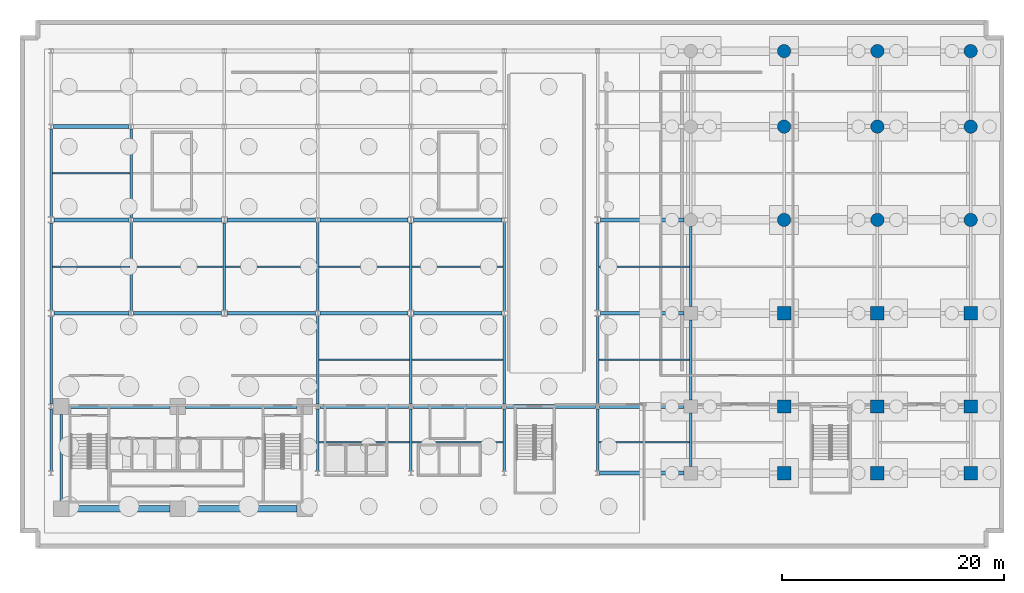
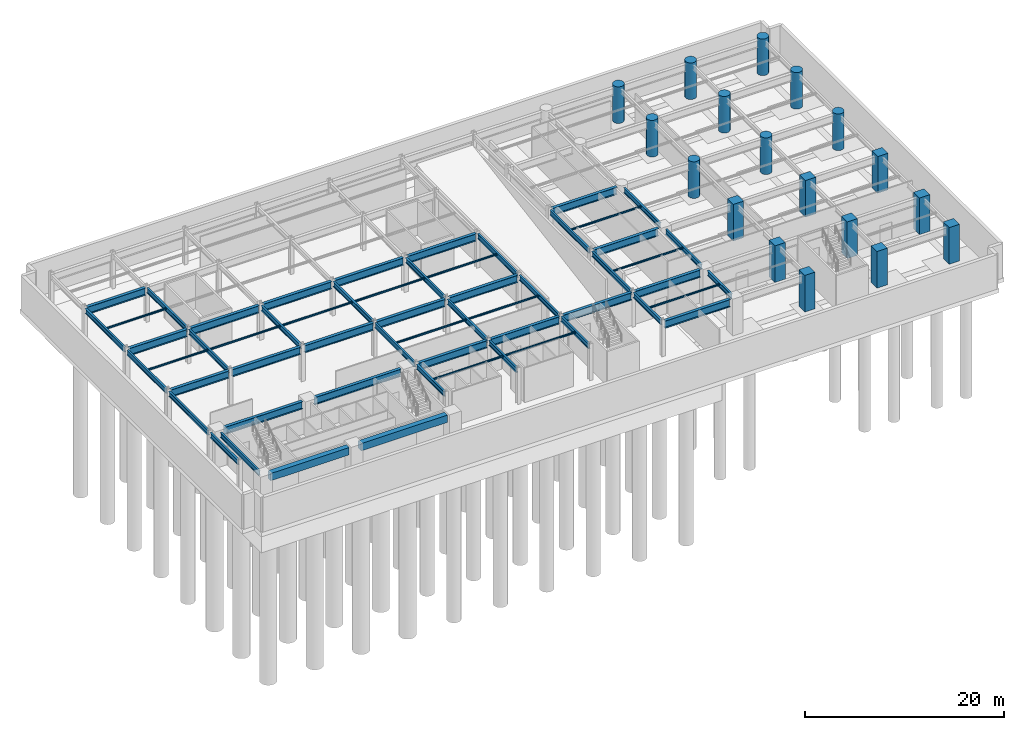
# One storey, part 5 of 14: 58 beams, 18 columns.
"""IFC4 building model written with IfcOpenShell, lengths in metres."""

import ifcopenshell
import ifcopenshell.guid

model = None  # the IFC model being written
_history = None  # IfcOwnerHistory: only IFC2X3 demands one
_inside = {}  # id of a spatial element -> (the spatial element, [elements in it])
_under = {}  # id of a project, library or spatial element -> (it, [spatial elements below it])
_declared = {}  # id of a project -> (the project, [libraries it declares])
_typed = {}  # id of a type object -> (the type object, [elements of that type])
_made_of = {}  # id of a material, layer set ... -> (it, [elements and type objects made of it])


def new_model(schema):
    """Start an empty IFC model of exactly this schema.

    Asked for "IFC4X3", IfcOpenShell would pick the latest addendum, in which some entities
    have other attributes; the version numbers below select the first issue.
    IFC2X3 requires an IfcOwnerHistory on every rooted entity: one is made here for all.
    """
    global model, _history
    if schema == "IFC4X3":
        model = ifcopenshell.file(schema_version=(4, 3, 0, 0))
    else:
        model = ifcopenshell.file(schema=schema)
    _inside.clear()
    _under.clear()
    _declared.clear()
    _typed.clear()
    _made_of.clear()
    _history = None
    if model.schema == "IFC2X3":
        org = make("IfcOrganization", Name="unknown")
        user = make(
            "IfcPersonAndOrganization",
            ThePerson=make("IfcPerson", FamilyName="unknown"),
            TheOrganization=org,
        )
        app = make(
            "IfcApplication",
            ApplicationDeveloper=org,
            Version="unknown",
            ApplicationFullName="unknown",
            ApplicationIdentifier="unknown",
        )
        _history = make(
            "IfcOwnerHistory",
            OwningUser=user,
            OwningApplication=app,
            ChangeAction="ADDED",
            CreationDate=0,
        )
    return model


def make(cls, **values):
    """One entity of the class cls with the attributes given. An attribute that is None is left unset."""
    return model.create_entity(
        cls, **{name: value for name, value in values.items() if value is not None}
    )


def rooted(cls, **values):
    """An entity with a GlobalId (a new one), such as an element, a storey or a relation."""
    return make(cls, GlobalId=ifcopenshell.guid.new(), OwnerHistory=_history, **values)


def si_unit(unit_type, name, prefix=None):
    """IfcSIUnit, for example si_unit("LENGTHUNIT", "METRE", prefix="MILLI")."""
    return make("IfcSIUnit", UnitType=unit_type, Prefix=prefix, Name=name)


def assignment(units):
    """IfcUnitAssignment: the units of a project."""
    return None if units is None else make("IfcUnitAssignment", Units=units)


def point(xyz):
    """IfcCartesianPoint."""
    return None if xyz is None else make("IfcCartesianPoint", Coordinates=xyz)


def direction(xyz):
    """IfcDirection."""
    return None if xyz is None else make("IfcDirection", DirectionRatios=xyz)


def frame(location, z_axis=None, x_axis=None):
    """IfcAxis2Placement3D, a coordinate frame: its origin and axes. An axis left out is left unset."""
    return make(
        "IfcAxis2Placement3D",
        Location=point(location),
        Axis=direction(z_axis),
        RefDirection=direction(x_axis),
    )


def frame_2d(location, x_axis=None):
    """IfcAxis2Placement2D, a coordinate frame in the plane: its origin and x axis."""
    return make(
        "IfcAxis2Placement2D", Location=point(location), RefDirection=direction(x_axis)
    )


def origin():
    """The frame at (0, 0, 0) with its axes left unset."""
    return frame((0.0, 0.0, 0.0))


def origin_2d():
    """The frame at (0, 0) in the plane with its x axis left unset."""
    return frame_2d((0.0, 0.0))


def place(relative_to, where):
    """IfcLocalPlacement: puts the frame where relative to a parent placement (None: the world)."""
    return make(
        "IfcLocalPlacement", PlacementRelTo=relative_to, RelativePlacement=where
    )


def context(
    kind, dimensions, precision=None, world=None, true_north=None, identifier=None
):
    """IfcGeometricRepresentationContext, for example the 3D "Model" context."""
    return make(
        "IfcGeometricRepresentationContext",
        ContextIdentifier=identifier,
        ContextType=kind,
        CoordinateSpaceDimension=dimensions,
        Precision=precision,
        WorldCoordinateSystem=world,
        TrueNorth=true_north,
    )


def subcontext(parent, identifier, kind, view, scale=None):
    """IfcGeometricRepresentationSubContext, for example "Body" below "Model"."""
    return make(
        "IfcGeometricRepresentationSubContext",
        ContextIdentifier=identifier,
        ContextType=kind,
        ParentContext=parent,
        TargetScale=scale,
        TargetView=view,
    )


def project(units=None, contexts=None):
    """IfcProject with its units and contexts."""
    return rooted(
        "IfcProject",
        Name="project",
        RepresentationContexts=contexts,
        UnitsInContext=assignment(units),
    )


def spatial(cls, under=None, at=None, **own):
    """A site, building, storey or space (cls), placed at a placement, below another one or the project."""
    s = rooted(cls, ObjectPlacement=at, **own)
    if under is not None:
        _under.setdefault(under.id(), (under, []))[1].append(s)
    return s


def profile(cls, at=None, kind="AREA", **sizes):
    """A parametric profile (cls). Its sizes go by their IFC names, for example OverallWidth=200.0."""
    return make(cls, ProfileType=kind, Position=at, **sizes)


def rectangle(**sizes):
    """IfcRectangleProfileDef."""
    return profile("IfcRectangleProfileDef", **sizes)


def circle(**sizes):
    """IfcCircleProfileDef."""
    return profile("IfcCircleProfileDef", **sizes)


def i_section(**sizes):
    """IfcIShapeProfileDef."""
    return profile("IfcIShapeProfileDef", **sizes)


def extrude(swept, where, along, depth):
    """IfcExtrudedAreaSolid: the profile swept, set in the frame where, extruded along a direction by depth."""
    return make(
        "IfcExtrudedAreaSolid",
        SweptArea=swept,
        Position=where,
        ExtrudedDirection=direction(along),
        Depth=depth,
    )


def shape(context_of_items, identifier, shape_type, items):
    """IfcShapeRepresentation: the items that make up one representation, for example the "Body"."""
    return make(
        "IfcShapeRepresentation",
        ContextOfItems=context_of_items,
        RepresentationIdentifier=identifier,
        RepresentationType=shape_type,
        Items=items,
    )


def material(Name=None, Category=None):
    """IfcMaterial."""
    return make("IfcMaterial", Name=Name, Category=Category)


def material_profile(
    of_material, cross_section, Name=None, Category=None, Priority=None
):
    """IfcMaterialProfile: a cross section and its material."""
    return make(
        "IfcMaterialProfile",
        Name=Name,
        Material=of_material,
        Profile=cross_section,
        Priority=Priority,
        Category=Category,
    )


def profile_set(profiles, Name=None, composite=None):
    """IfcMaterialProfileSet."""
    return make(
        "IfcMaterialProfileSet",
        Name=Name,
        MaterialProfiles=profiles,
        CompositeProfile=composite,
    )


def made_of(thing, what):
    """Note that an element or type object is made of a material, layer set ...; save() writes the relation."""
    if what is not None:
        _made_of.setdefault(what.id(), (what, []))[1].append(thing)
    return thing


def type_object(cls, material=None, **own):
    """A type object (cls), such as IfcWallType, which elements share."""
    return made_of(rooted(cls, **own), material)


def element(
    cls,
    number,
    at=None,
    inside=None,
    cuts=None,
    type_object=None,
    material=None,
    context=None,
    identifier="Body",
    shape_type=None,
    held_by="IfcProductDefinitionShape",
    body=None,
    shapes=None,
    **own,
):
    """One element of the class cls, such as IfcWall. Its Tag is "e" and its number.

    at: its placement. inside: the storey or other place that contains it. cuts: it is an
    opening in that element (IfcRelVoidsElement). A single representation is given by context,
    identifier, shape_type and body (its items); several are given by shapes. held_by: the class
    of the entity that holds the representations. save() writes the other relations.
    """
    e = rooted(cls, Tag="e%d" % number, ObjectPlacement=at, **own)
    if body is not None:
        shapes = [shape(context, identifier, shape_type, body)]
    if shapes is not None:
        e.Representation = make(held_by, Representations=shapes)
    if inside is not None:
        _inside.setdefault(inside.id(), (inside, []))[1].append(e)
    if cuts is not None:
        rooted(
            "IfcRelVoidsElement", RelatingBuildingElement=cuts, RelatedOpeningElement=e
        )
    if type_object is not None:
        _typed.setdefault(type_object.id(), (type_object, []))[1].append(e)
    return made_of(e, material)


def aggregate(whole, parts):
    """IfcRelAggregates: a whole, such as a stair, and the parts it consists of."""
    return rooted("IfcRelAggregates", RelatingObject=whole, RelatedObjects=parts)


def save(model, path):
    """Write the relations noted so far, then the file.

    IfcRelAggregates (storeys below a building ...), IfcRelContainedInSpatialStructure (elements
    in a storey), IfcRelDefinesByType, IfcRelAssociatesMaterial and IfcRelDeclares: one each for
    every whole, place, type object, material and project.
    """
    for whole, parts in _under.values():
        aggregate(whole, parts)
    for where, things in _inside.values():
        rooted(
            "IfcRelContainedInSpatialStructure",
            RelatedElements=things,
            RelatingStructure=where,
        )
    for kind, things in _typed.values():
        rooted("IfcRelDefinesByType", RelatedObjects=things, RelatingType=kind)
    for what, things in _made_of.values():
        rooted("IfcRelAssociatesMaterial", RelatedObjects=things, RelatingMaterial=what)
    for by, libraries in _declared.values():
        rooted("IfcRelDeclares", RelatingContext=by, RelatedDefinitions=libraries)
    model.write(path)


model = new_model("IFC4")

# Units and contexts
model_context = context("Model", 3, precision=1e-05, world=origin(), true_north=direction((0.0, 1.0)))
body_context = subcontext(model_context, "Body", "Model", "MODEL_VIEW")
ifc_project = project(units=[si_unit("LENGTHUNIT", "METRE"), si_unit("AREAUNIT", "SQUARE_METRE"), si_unit("VOLUMEUNIT", "CUBIC_METRE"), si_unit("PLANEANGLEUNIT", "RADIAN"), si_unit("MASSUNIT", "GRAM", prefix="KILO")], contexts=[model_context])

# Site, building, storey
site_placement = place(None, origin())
site = spatial("IfcSite", under=ifc_project, at=site_placement, CompositionType="ELEMENT")
building_placement = place(site_placement, origin())
building = spatial("IfcBuilding", under=site, at=building_placement, Name="Varnakote Quay Hospital", CompositionType="ELEMENT")
storey_placement = place(building_placement, frame((0.0, 0.0, -9.0)))
storey = spatial("IfcBuildingStorey", under=building, at=storey_placement, Name="B02", CompositionType="ELEMENT", Elevation=-9.0)

# Columns
ifc_material_1 = material(Name="Concrete N80 (f'c 80 MPa)", Category="concrete")
ifc_material_profile_1 = material_profile(ifc_material_1, rectangle(XDim=1.199951171875, YDim=1.199951171875, at=origin_2d()), Name="RC-COL-1200x1200")
ifc_profile_set_1 = profile_set([ifc_material_profile_1], Name="Concrete N80 (f'c 80 MPa)")
column_type_1 = type_object("IfcColumnType", Name="COL-RC-1200", PredefinedType="COLUMN", material=ifc_profile_set_1)
for number, where, z_axis, x_axis, name in (
    (1, (67.199951171875, 6.0, 0.0), (0.0, 0.0, 1.0), (1.0, 0.0, 0.0), "B02 Structural Column C-67-6"),
    (2, (75.60009765625, 6.0, 0.0), (0.0, 0.0, 1.0), (1.0, 0.0, 0.0), "B02 Structural Column C-76-6"),
    (3, (84.0, 6.0, 0.0), (0.0, 0.0, 1.0), (1.0, 0.0, 0.0), "B02 Structural Column C-84-6"),
    (4, (67.199951171875, 12.0, 0.0), (0.0, 0.0, 1.0), (1.0, 0.0, 0.0), "B02 Structural Column C-67-12"),
    (5, (75.60009765625, 12.0, 0.0), (0.0, 0.0, 1.0), (1.0, 0.0, 0.0), "B02 Structural Column C-76-12"),
    (6, (84.0, 12.0, 0.0), (0.0, 0.0, 1.0), (1.0, 0.0, 0.0), "B02 Structural Column C-84-12"),
    (7, (67.199951171875, 20.39990234375, 0.0), (0.0, 0.0, 1.0), (1.0, 0.0, 0.0), "B02 Structural Column C-67-20"),
    (8, (75.60009765625, 20.39990234375, 0.0), (0.0, 0.0, 1.0), (1.0, 0.0, 0.0), "B02 Structural Column C-76-20"),
    (9, (84.0, 20.39990234375, 0.0), (0.0, 0.0, 1.0), (1.0, 0.0, 0.0), "B02 Structural Column C-84-20"),
):
    element("IfcColumn", number, at=place(storey_placement, frame(where, z_axis=z_axis, x_axis=x_axis)), inside=storey, type_object=column_type_1, Name=name, PredefinedType="COLUMN", context=body_context, shape_type="SweptSolid", body=[
        extrude(rectangle(XDim=1.199951171875, YDim=1.199951171875, at=origin_2d()), origin(), (0.0, 0.0, 1.0), 4.5),
    ])
ifc_material_2 = material(Name="Concrete N80 (f'c 80 MPa)", Category="concrete")
ifc_material_profile_2 = material_profile(ifc_material_2, circle(Radius=0.60009765625, at=origin_2d()), Name="RC-COL-D1200")
ifc_profile_set_2 = profile_set([ifc_material_profile_2], Name="Concrete N80 (f'c 80 MPa)")
column_type_2 = type_object("IfcColumnType", Name="COL-RC-D1200", PredefinedType="COLUMN", material=ifc_profile_set_2)
for number, where, z_axis, x_axis, name in (
    (10, (67.199951171875, 28.800048828125, 0.0), (0.0, 0.0, 1.0), (1.0, 0.0, 0.0), "B02 Structural Column C-67-29"),
    (11, (75.60009765625, 28.800048828125, 0.0), (0.0, 0.0, 1.0), (1.0, 0.0, 0.0), "B02 Structural Column C-76-29"),
    (12, (84.0, 28.800048828125, 0.0), (0.0, 0.0, 1.0), (1.0, 0.0, 0.0), "B02 Structural Column C-84-29"),
    (13, (67.199951171875, 37.199951171875, 0.0), (0.0, 0.0, 1.0), (1.0, 0.0, 0.0), "B02 Structural Column C-67-37"),
    (14, (75.60009765625, 37.199951171875, 0.0), (0.0, 0.0, 1.0), (1.0, 0.0, 0.0), "B02 Structural Column C-76-37"),
    (15, (84.0, 37.199951171875, 0.0), (0.0, 0.0, 1.0), (1.0, 0.0, 0.0), "B02 Structural Column C-84-37"),
    (16, (67.199951171875, 44.0, 0.0), (0.0, 0.0, 1.0), (1.0, 0.0, 0.0), "B02 Structural Column C-67-44"),
    (17, (75.60009765625, 44.0, 0.0), (0.0, 0.0, 1.0), (1.0, 0.0, 0.0), "B02 Structural Column C-76-44"),
    (18, (84.0, 44.0, 0.0), (0.0, 0.0, 1.0), (1.0, 0.0, 0.0), "B02 Structural Column C-84-44"),
):
    element("IfcColumn", number, at=place(storey_placement, frame(where, z_axis=z_axis, x_axis=x_axis)), inside=storey, type_object=column_type_2, Name=name, PredefinedType="COLUMN", context=body_context, shape_type="SweptSolid", body=[
        extrude(circle(Radius=0.60009765625, at=origin_2d()), origin(), (0.0, 0.0, 1.0), 4.5),
    ])

# Beams
ifc_material_3 = material(Name="Concrete N65 (f'c 65 MPa)", Category="concrete")
ifc_material_profile_3 = material_profile(ifc_material_3, rectangle(XDim=0.60009765625, YDim=0.89990234375, at=origin_2d()), Name="RC-BM-600x900")
ifc_profile_set_3 = profile_set([ifc_material_profile_3], Name="Concrete N65 (f'c 65 MPa)")
beam_type_1 = type_object("IfcBeamType", Name="BM-RC-600x900", PredefinedType="BEAM", material=ifc_profile_set_3)
beam_1_placement = place(storey_placement, frame((2.800048828125, 2.800048828125, 3.7900390625), z_axis=(1.0, 0.0, 0.0), x_axis=(0.0, 1.0, 0.0)))
element("IfcBeam", 19, at=beam_1_placement, inside=storey, type_object=beam_type_1, Name="B02 Core Rear Coupling Beam", PredefinedType="BEAM", context=body_context, shape_type="SweptSolid", body=[
    extrude(rectangle(XDim=0.60009765625, YDim=0.89990234375, at=origin_2d()), origin(), (0.0, 0.0, 1.0), 9.119873046875),
])
beam_2_placement = place(storey_placement, frame((13.320068359375, 2.800048828125, 3.7900390625), z_axis=(1.0, 0.0, 0.0), x_axis=(0.0, 1.0, 0.0)))
element("IfcBeam", 20, at=beam_2_placement, inside=storey, type_object=beam_type_1, Name="B02 Core Rear Coupling Beam", PredefinedType="BEAM", context=body_context, shape_type="SweptSolid", body=[
    extrude(rectangle(XDim=0.60009765625, YDim=0.89990234375, at=origin_2d()), origin(), (0.0, 0.0, 1.0), 10.030029296875),
])
ifc_material_4 = material(Name="Structural steel AS/NZS 3679.1 Grade 350 L0 (fy 340 MPa)", Category="steel")
ifc_material_profile_4 = material_profile(ifc_material_4, i_section(OverallWidth=0.22802734375, OverallDepth=0.60205078125, WebThickness=0.010498046875, FlangeThickness=0.014892578125, FilletRadius=0.013916015625, at=origin_2d()), Name="610UB101")
ifc_profile_set_4 = profile_set([ifc_material_profile_4], Name="Structural steel AS/NZS 3679.1 Grade 350 L0 (fy 340 MPa)")
beam_type_2 = type_object("IfcBeamType", Name="BM-STL-610UB101", PredefinedType="BEAM", material=ifc_profile_set_4)
beam_3_placement = place(storey_placement, frame((1.199951171875, 6.2099609375, 3.93896484375), z_axis=(0.0, 1.0, 0.0), x_axis=(-1.0, 0.0, 0.0)))
element("IfcBeam", 21, at=beam_3_placement, inside=storey, type_object=beam_type_2, Name="B02 Primary Tie Beam", PredefinedType="BEAM", context=body_context, shape_type="SweptSolid", body=[
    extrude(i_section(OverallWidth=0.22802734375, OverallDepth=0.60205078125, WebThickness=0.010498046875, FlangeThickness=0.014892578125, FilletRadius=0.013916015625, at=origin_2d()), origin(), (0.0, 0.0, 1.0), 5.580078125),
])
beam_4_placement = place(storey_placement, frame((1.199951171875, 12.2099609375, 3.93896484375), z_axis=(0.0, 1.0, 0.0), x_axis=(-1.0, 0.0, 0.0)))
element("IfcBeam", 22, at=beam_4_placement, inside=storey, type_object=beam_type_2, Name="B02 Primary Tie Beam", PredefinedType="BEAM", context=body_context, shape_type="SweptSolid", body=[
    extrude(i_section(OverallWidth=0.22802734375, OverallDepth=0.60205078125, WebThickness=0.010498046875, FlangeThickness=0.014892578125, FilletRadius=0.013916015625, at=origin_2d()), origin(), (0.0, 0.0, 1.0), 7.925048828125),
])
beam_5_placement = place(storey_placement, frame((1.199951171875, 20.6650390625, 3.93896484375), z_axis=(0.0, 1.0, 0.0), x_axis=(-1.0, 0.0, 0.0)))
element("IfcBeam", 23, at=beam_5_placement, inside=storey, type_object=beam_type_2, Name="B02 Primary Tie Beam", PredefinedType="BEAM", context=body_context, shape_type="SweptSolid", body=[
    extrude(i_section(OverallWidth=0.22802734375, OverallDepth=0.60205078125, WebThickness=0.010498046875, FlangeThickness=0.014892578125, FilletRadius=0.013916015625, at=origin_2d()), origin(), (0.0, 0.0, 1.0), 7.869873046875),
])
beam_6_placement = place(storey_placement, frame((1.199951171875, 29.06494140625, 3.93896484375), z_axis=(0.0, 1.0, 0.0), x_axis=(-1.0, 0.0, 0.0)))
element("IfcBeam", 24, at=beam_6_placement, inside=storey, type_object=beam_type_2, Name="B02 Primary Tie Beam", PredefinedType="BEAM", context=body_context, shape_type="SweptSolid", body=[
    extrude(i_section(OverallWidth=0.22802734375, OverallDepth=0.60205078125, WebThickness=0.010498046875, FlangeThickness=0.014892578125, FilletRadius=0.013916015625, at=origin_2d()), origin(), (0.0, 0.0, 1.0), 7.925048828125),
])
beam_7_placement = place(storey_placement, frame((2.10009765625, 3.5, 3.93896484375), z_axis=(0.0, 1.0, 0.0), x_axis=(-1.0, 0.0, 0.0)))
element("IfcBeam", 25, at=beam_7_placement, inside=storey, type_object=beam_type_2, Name="B02 Primary Tie Beam", PredefinedType="BEAM", context=body_context, shape_type="SweptSolid", body=[
    extrude(i_section(OverallWidth=0.22802734375, OverallDepth=0.60205078125, WebThickness=0.010498046875, FlangeThickness=0.014892578125, FilletRadius=0.013916015625, at=origin_2d()), origin(), (0.0, 0.0, 1.0), 7.800048828125),
])
for number, where, z_axis, x_axis, name in (
    (26, (8.39990234375, 20.610107421875, 3.93896484375), (0.0, 1.0, 0.0), (-1.0, 0.0, 0.0), "B02 Primary Tie Beam"),
    (27, (8.39990234375, 29.010009765625, 3.93896484375), (0.0, 1.0, 0.0), (-1.0, 0.0, 0.0), "B02 Primary Tie Beam"),
):
    element("IfcBeam", number, at=place(storey_placement, frame(where, z_axis=z_axis, x_axis=x_axis)), inside=storey, type_object=beam_type_2, Name=name, PredefinedType="BEAM", context=body_context, shape_type="SweptSolid", body=[
        extrude(i_section(OverallWidth=0.22802734375, OverallDepth=0.60205078125, WebThickness=0.010498046875, FlangeThickness=0.014892578125, FilletRadius=0.013916015625, at=origin_2d()), origin(), (0.0, 0.0, 1.0), 7.97998046875),
    ])
beam_8_placement = place(storey_placement, frame((16.800048828125, 20.6650390625, 3.93896484375), z_axis=(0.0, 1.0, 0.0), x_axis=(-1.0, 0.0, 0.0)))
element("IfcBeam", 28, at=beam_8_placement, inside=storey, type_object=beam_type_2, Name="B02 Primary Tie Beam", PredefinedType="BEAM", context=body_context, shape_type="SweptSolid", body=[
    extrude(i_section(OverallWidth=0.22802734375, OverallDepth=0.60205078125, WebThickness=0.010498046875, FlangeThickness=0.014892578125, FilletRadius=0.013916015625, at=origin_2d()), origin(), (0.0, 0.0, 1.0), 7.869873046875),
])
beam_9_placement = place(storey_placement, frame((25.199951171875, 6.2099609375, 3.93896484375), z_axis=(0.0, 1.0, 0.0), x_axis=(-1.0, 0.0, 0.0)))
element("IfcBeam", 29, at=beam_9_placement, inside=storey, type_object=beam_type_2, Name="B02 Primary Tie Beam", PredefinedType="BEAM", context=body_context, shape_type="SweptSolid", body=[
    extrude(i_section(OverallWidth=0.22802734375, OverallDepth=0.60205078125, WebThickness=0.010498046875, FlangeThickness=0.014892578125, FilletRadius=0.013916015625, at=origin_2d()), origin(), (0.0, 0.0, 1.0), 5.580078125),
])
for number, where, z_axis, x_axis, name in (
    (30, (25.199951171875, 12.2099609375, 3.93896484375), (0.0, 1.0, 0.0), (-1.0, 0.0, 0.0), "B02 Primary Tie Beam"),
    (31, (25.199951171875, 20.610107421875, 3.93896484375), (0.0, 1.0, 0.0), (-1.0, 0.0, 0.0), "B02 Primary Tie Beam"),
):
    element("IfcBeam", number, at=place(storey_placement, frame(where, z_axis=z_axis, x_axis=x_axis)), inside=storey, type_object=beam_type_2, Name=name, PredefinedType="BEAM", context=body_context, shape_type="SweptSolid", body=[
        extrude(i_section(OverallWidth=0.22802734375, OverallDepth=0.60205078125, WebThickness=0.010498046875, FlangeThickness=0.014892578125, FilletRadius=0.013916015625, at=origin_2d()), origin(), (0.0, 0.0, 1.0), 7.97998046875),
    ])
beam_10_placement = place(storey_placement, frame((33.60009765625, 6.2099609375, 3.93896484375), z_axis=(0.0, 1.0, 0.0), x_axis=(-1.0, 0.0, 0.0)))
element("IfcBeam", 32, at=beam_10_placement, inside=storey, type_object=beam_type_2, Name="B02 Primary Tie Beam", PredefinedType="BEAM", context=body_context, shape_type="SweptSolid", body=[
    extrude(i_section(OverallWidth=0.22802734375, OverallDepth=0.60205078125, WebThickness=0.010498046875, FlangeThickness=0.014892578125, FilletRadius=0.013916015625, at=origin_2d()), origin(), (0.0, 0.0, 1.0), 5.580078125),
])
beam_11_placement = place(storey_placement, frame((33.60009765625, 12.2099609375, 3.93896484375), z_axis=(0.0, 1.0, 0.0), x_axis=(-1.0, 0.0, 0.0)))
element("IfcBeam", 33, at=beam_11_placement, inside=storey, type_object=beam_type_2, Name="B02 Primary Tie Beam", PredefinedType="BEAM", context=body_context, shape_type="SweptSolid", body=[
    extrude(i_section(OverallWidth=0.22802734375, OverallDepth=0.60205078125, WebThickness=0.010498046875, FlangeThickness=0.014892578125, FilletRadius=0.013916015625, at=origin_2d()), origin(), (0.0, 0.0, 1.0), 7.925048828125),
])
beam_12_placement = place(storey_placement, frame((33.60009765625, 20.6650390625, 3.93896484375), z_axis=(0.0, 1.0, 0.0), x_axis=(-1.0, 0.0, 0.0)))
element("IfcBeam", 34, at=beam_12_placement, inside=storey, type_object=beam_type_2, Name="B02 Primary Tie Beam", PredefinedType="BEAM", context=body_context, shape_type="SweptSolid", body=[
    extrude(i_section(OverallWidth=0.22802734375, OverallDepth=0.60205078125, WebThickness=0.010498046875, FlangeThickness=0.014892578125, FilletRadius=0.013916015625, at=origin_2d()), origin(), (0.0, 0.0, 1.0), 7.869873046875),
])
beam_13_placement = place(storey_placement, frame((42.0, 6.2099609375, 3.93896484375), z_axis=(0.0, 1.0, 0.0), x_axis=(-1.0, 0.0, 0.0)))
element("IfcBeam", 35, at=beam_13_placement, inside=storey, type_object=beam_type_2, Name="B02 Primary Tie Beam", PredefinedType="BEAM", context=body_context, shape_type="SweptSolid", body=[
    extrude(i_section(OverallWidth=0.22802734375, OverallDepth=0.60205078125, WebThickness=0.010498046875, FlangeThickness=0.014892578125, FilletRadius=0.013916015625, at=origin_2d()), origin(), (0.0, 0.0, 1.0), 5.580078125),
])
for number, where, z_axis, x_axis, name in (
    (36, (42.0, 12.2099609375, 3.93896484375), (0.0, 1.0, 0.0), (-1.0, 0.0, 0.0), "B02 Primary Tie Beam"),
    (37, (42.0, 20.610107421875, 3.93896484375), (0.0, 1.0, 0.0), (-1.0, 0.0, 0.0), "B02 Primary Tie Beam"),
):
    element("IfcBeam", number, at=place(storey_placement, frame(where, z_axis=z_axis, x_axis=x_axis)), inside=storey, type_object=beam_type_2, Name=name, PredefinedType="BEAM", context=body_context, shape_type="SweptSolid", body=[
        extrude(i_section(OverallWidth=0.22802734375, OverallDepth=0.60205078125, WebThickness=0.010498046875, FlangeThickness=0.014892578125, FilletRadius=0.013916015625, at=origin_2d()), origin(), (0.0, 0.0, 1.0), 7.97998046875),
    ])
beam_14_placement = place(storey_placement, frame((50.39990234375, 6.2099609375, 3.93896484375), z_axis=(0.0, 1.0, 0.0), x_axis=(-1.0, 0.0, 0.0)))
element("IfcBeam", 38, at=beam_14_placement, inside=storey, type_object=beam_type_2, Name="B02 Primary Tie Beam", PredefinedType="BEAM", context=body_context, shape_type="SweptSolid", body=[
    extrude(i_section(OverallWidth=0.22802734375, OverallDepth=0.60205078125, WebThickness=0.010498046875, FlangeThickness=0.014892578125, FilletRadius=0.013916015625, at=origin_2d()), origin(), (0.0, 0.0, 1.0), 5.580078125),
])
beam_15_placement = place(storey_placement, frame((50.39990234375, 12.2099609375, 3.93896484375), z_axis=(0.0, 1.0, 0.0), x_axis=(-1.0, 0.0, 0.0)))
element("IfcBeam", 39, at=beam_15_placement, inside=storey, type_object=beam_type_2, Name="B02 Primary Tie Beam", PredefinedType="BEAM", context=body_context, shape_type="SweptSolid", body=[
    extrude(i_section(OverallWidth=0.22802734375, OverallDepth=0.60205078125, WebThickness=0.010498046875, FlangeThickness=0.014892578125, FilletRadius=0.013916015625, at=origin_2d()), origin(), (0.0, 0.0, 1.0), 7.925048828125),
])
beam_16_placement = place(storey_placement, frame((50.39990234375, 20.6650390625, 3.93896484375), z_axis=(0.0, 1.0, 0.0), x_axis=(-1.0, 0.0, 0.0)))
element("IfcBeam", 40, at=beam_16_placement, inside=storey, type_object=beam_type_2, Name="B02 Primary Tie Beam", PredefinedType="BEAM", context=body_context, shape_type="SweptSolid", body=[
    extrude(i_section(OverallWidth=0.22802734375, OverallDepth=0.60205078125, WebThickness=0.010498046875, FlangeThickness=0.014892578125, FilletRadius=0.013916015625, at=origin_2d()), origin(), (0.0, 0.0, 1.0), 7.869873046875),
])
beam_17_placement = place(storey_placement, frame((58.800048828125, 6.60009765625, 3.93896484375), z_axis=(0.0, 1.0, 0.0), x_axis=(-1.0, 0.0, 0.0)))
element("IfcBeam", 41, at=beam_17_placement, inside=storey, type_object=beam_type_2, Name="B02 Primary Tie Beam", PredefinedType="BEAM", context=body_context, shape_type="SweptSolid", body=[
    extrude(i_section(OverallWidth=0.22802734375, OverallDepth=0.60205078125, WebThickness=0.010498046875, FlangeThickness=0.014892578125, FilletRadius=0.013916015625, at=origin_2d()), origin(), (0.0, 0.0, 1.0), 4.7998046875),
])
for number, where, z_axis, x_axis, name in (
    (42, (58.800048828125, 12.60009765625, 3.93896484375), (0.0, 1.0, 0.0), (-1.0, 0.0, 0.0), "B02 Primary Tie Beam"),
    (43, (58.800048828125, 21.0, 3.93896484375), (0.0, 1.0, 0.0), (-1.0, 0.0, 0.0), "B02 Primary Tie Beam"),
):
    element("IfcBeam", number, at=place(storey_placement, frame(where, z_axis=z_axis, x_axis=x_axis)), inside=storey, type_object=beam_type_2, Name=name, PredefinedType="BEAM", context=body_context, shape_type="SweptSolid", body=[
        extrude(i_section(OverallWidth=0.22802734375, OverallDepth=0.60205078125, WebThickness=0.010498046875, FlangeThickness=0.014892578125, FilletRadius=0.013916015625, at=origin_2d()), origin(), (0.0, 0.0, 1.0), 7.199951171875),
    ])
ifc_material_5 = material(Name="Structural steel AS/NZS 3678 Grade 350 (fy 340 MPa)", Category="steel")
ifc_material_profile_5 = material_profile(ifc_material_5, i_section(OverallWidth=0.35009765625, OverallDepth=0.909912109375, WebThickness=0.011962890625, FlangeThickness=0.02490234375, at=origin_2d()), Name="900WB218")
ifc_profile_set_5 = profile_set([ifc_material_profile_5], Name="Structural steel AS/NZS 3678 Grade 350 (fy 340 MPa)")
beam_type_3 = type_object("IfcBeamType", Name="BM-STL-900WB218", PredefinedType="BEAM", material=ifc_profile_set_5)
beam_18_placement = place(storey_placement, frame((50.60009765625, 6.0, 3.784912109375), z_axis=(1.0, 0.0, 0.0), x_axis=(0.0, 1.0, 0.0)))
element("IfcBeam", 44, at=beam_18_placement, inside=storey, type_object=beam_type_3, Name="B02 Primary Floor Beam", PredefinedType="BEAM", context=body_context, shape_type="SweptSolid", body=[
    extrude(i_section(OverallWidth=0.35009765625, OverallDepth=0.909912109375, WebThickness=0.011962890625, FlangeThickness=0.02490234375, at=origin_2d()), origin(), (0.0, 0.0, 1.0), 7.599853515625),
])
beam_19_placement = place(storey_placement, frame((2.800048828125, 12.0, 3.784912109375), z_axis=(1.0, 0.0, 0.0), x_axis=(0.0, 1.0, 0.0)))
element("IfcBeam", 45, at=beam_19_placement, inside=storey, type_object=beam_type_3, Name="B02 Primary Floor Beam", PredefinedType="BEAM", context=body_context, shape_type="SweptSolid", body=[
    extrude(i_section(OverallWidth=0.35009765625, OverallDepth=0.909912109375, WebThickness=0.011962890625, FlangeThickness=0.02490234375, at=origin_2d()), origin(), (0.0, 0.0, 1.0), 9.119873046875),
])
beam_20_placement = place(storey_placement, frame((13.320068359375, 12.0, 3.784912109375), z_axis=(1.0, 0.0, 0.0), x_axis=(0.0, 1.0, 0.0)))
element("IfcBeam", 46, at=beam_20_placement, inside=storey, type_object=beam_type_3, Name="B02 Primary Floor Beam", PredefinedType="BEAM", context=body_context, shape_type="SweptSolid", body=[
    extrude(i_section(OverallWidth=0.35009765625, OverallDepth=0.909912109375, WebThickness=0.011962890625, FlangeThickness=0.02490234375, at=origin_2d()), origin(), (0.0, 0.0, 1.0), 10.030029296875),
])
for number, where, z_axis, x_axis, name in (
    (47, (25.39990234375, 12.0, 3.784912109375), (1.0, 0.0, 0.0), (0.0, 1.0, 0.0), "B02 Primary Floor Beam"),
    (48, (33.800048828125, 12.0, 3.784912109375), (1.0, 0.0, 0.0), (0.0, 1.0, 0.0), "B02 Primary Floor Beam"),
    (49, (42.199951171875, 12.0, 3.784912109375), (1.0, 0.0, 0.0), (0.0, 1.0, 0.0), "B02 Primary Floor Beam"),
):
    element("IfcBeam", number, at=place(storey_placement, frame(where, z_axis=z_axis, x_axis=x_axis)), inside=storey, type_object=beam_type_3, Name=name, PredefinedType="BEAM", context=body_context, shape_type="SweptSolid", body=[
        extrude(i_section(OverallWidth=0.35009765625, OverallDepth=0.909912109375, WebThickness=0.011962890625, FlangeThickness=0.02490234375, at=origin_2d()), origin(), (0.0, 0.0, 1.0), 8.0),
    ])
beam_21_placement = place(storey_placement, frame((50.60009765625, 12.0, 3.784912109375), z_axis=(1.0, 0.0, 0.0), x_axis=(0.0, 1.0, 0.0)))
element("IfcBeam", 50, at=beam_21_placement, inside=storey, type_object=beam_type_3, Name="B02 Primary Floor Beam", PredefinedType="BEAM", context=body_context, shape_type="SweptSolid", body=[
    extrude(i_section(OverallWidth=0.35009765625, OverallDepth=0.909912109375, WebThickness=0.011962890625, FlangeThickness=0.02490234375, at=origin_2d()), origin(), (0.0, 0.0, 1.0), 7.599853515625),
])
beam_22_placement = place(storey_placement, frame((1.449951171875, 20.39990234375, 3.784912109375), z_axis=(1.0, 0.0, 0.0), x_axis=(0.0, 1.0, 0.0)))
element("IfcBeam", 51, at=beam_22_placement, inside=storey, type_object=beam_type_3, Name="B02 Primary Floor Beam", PredefinedType="BEAM", context=body_context, shape_type="SweptSolid", body=[
    extrude(i_section(OverallWidth=0.35009765625, OverallDepth=0.909912109375, WebThickness=0.011962890625, FlangeThickness=0.02490234375, at=origin_2d()), origin(), (0.0, 0.0, 1.0), 6.75),
])
for number, where, z_axis, x_axis, name in (
    (52, (8.60009765625, 20.39990234375, 3.784912109375), (1.0, 0.0, 0.0), (0.0, 1.0, 0.0), "B02 Primary Floor Beam"),
    (53, (17.050048828125, 20.39990234375, 3.784912109375), (1.0, 0.0, 0.0), (0.0, 1.0, 0.0), "B02 Primary Floor Beam"),
):
    element("IfcBeam", number, at=place(storey_placement, frame(where, z_axis=z_axis, x_axis=x_axis)), inside=storey, type_object=beam_type_3, Name=name, PredefinedType="BEAM", context=body_context, shape_type="SweptSolid", body=[
        extrude(i_section(OverallWidth=0.35009765625, OverallDepth=0.909912109375, WebThickness=0.011962890625, FlangeThickness=0.02490234375, at=origin_2d()), origin(), (0.0, 0.0, 1.0), 7.949951171875),
    ])
beam_23_placement = place(storey_placement, frame((25.39990234375, 20.39990234375, 3.784912109375), z_axis=(1.0, 0.0, 0.0), x_axis=(0.0, 1.0, 0.0)))
element("IfcBeam", 54, at=beam_23_placement, inside=storey, type_object=beam_type_3, Name="B02 Primary Floor Beam", PredefinedType="BEAM", context=body_context, shape_type="SweptSolid", body=[
    extrude(i_section(OverallWidth=0.35009765625, OverallDepth=0.909912109375, WebThickness=0.011962890625, FlangeThickness=0.02490234375, at=origin_2d()), origin(), (0.0, 0.0, 1.0), 7.9501953125),
])
beam_24_placement = place(storey_placement, frame((33.85009765625, 20.39990234375, 3.784912109375), z_axis=(1.0, 0.0, 0.0), x_axis=(0.0, 1.0, 0.0)))
element("IfcBeam", 55, at=beam_24_placement, inside=storey, type_object=beam_type_3, Name="B02 Primary Floor Beam", PredefinedType="BEAM", context=body_context, shape_type="SweptSolid", body=[
    extrude(i_section(OverallWidth=0.35009765625, OverallDepth=0.909912109375, WebThickness=0.011962890625, FlangeThickness=0.02490234375, at=origin_2d()), origin(), (0.0, 0.0, 1.0), 7.949951171875),
])
beam_25_placement = place(storey_placement, frame((50.64990234375, 20.39990234375, 3.784912109375), z_axis=(1.0, 0.0, 0.0), x_axis=(0.0, 1.0, 0.0)))
element("IfcBeam", 56, at=beam_25_placement, inside=storey, type_object=beam_type_3, Name="B02 Primary Floor Beam", PredefinedType="BEAM", context=body_context, shape_type="SweptSolid", body=[
    extrude(i_section(OverallWidth=0.35009765625, OverallDepth=0.909912109375, WebThickness=0.011962890625, FlangeThickness=0.02490234375, at=origin_2d()), origin(), (0.0, 0.0, 1.0), 7.550048828125),
])
beam_26_placement = place(storey_placement, frame((1.449951171875, 28.800048828125, 3.784912109375), z_axis=(1.0, 0.0, 0.0), x_axis=(0.0, 1.0, 0.0)))
element("IfcBeam", 57, at=beam_26_placement, inside=storey, type_object=beam_type_3, Name="B02 Primary Floor Beam", PredefinedType="BEAM", context=body_context, shape_type="SweptSolid", body=[
    extrude(i_section(OverallWidth=0.35009765625, OverallDepth=0.909912109375, WebThickness=0.011962890625, FlangeThickness=0.02490234375, at=origin_2d()), origin(), (0.0, 0.0, 1.0), 6.75),
])
for number, where, z_axis, x_axis, name in (
    (58, (8.60009765625, 28.800048828125, 3.784912109375), (1.0, 0.0, 0.0), (0.0, 1.0, 0.0), "B02 Primary Floor Beam"),
    (59, (17.050048828125, 28.800048828125, 3.784912109375), (1.0, 0.0, 0.0), (0.0, 1.0, 0.0), "B02 Primary Floor Beam"),
):
    element("IfcBeam", number, at=place(storey_placement, frame(where, z_axis=z_axis, x_axis=x_axis)), inside=storey, type_object=beam_type_3, Name=name, PredefinedType="BEAM", context=body_context, shape_type="SweptSolid", body=[
        extrude(i_section(OverallWidth=0.35009765625, OverallDepth=0.909912109375, WebThickness=0.011962890625, FlangeThickness=0.02490234375, at=origin_2d()), origin(), (0.0, 0.0, 1.0), 7.949951171875),
    ])
beam_27_placement = place(storey_placement, frame((25.39990234375, 28.800048828125, 3.784912109375), z_axis=(1.0, 0.0, 0.0), x_axis=(0.0, 1.0, 0.0)))
element("IfcBeam", 60, at=beam_27_placement, inside=storey, type_object=beam_type_3, Name="B02 Primary Floor Beam", PredefinedType="BEAM", context=body_context, shape_type="SweptSolid", body=[
    extrude(i_section(OverallWidth=0.35009765625, OverallDepth=0.909912109375, WebThickness=0.011962890625, FlangeThickness=0.02490234375, at=origin_2d()), origin(), (0.0, 0.0, 1.0), 7.9501953125),
])
beam_28_placement = place(storey_placement, frame((33.85009765625, 28.800048828125, 3.784912109375), z_axis=(1.0, 0.0, 0.0), x_axis=(0.0, 1.0, 0.0)))
element("IfcBeam", 61, at=beam_28_placement, inside=storey, type_object=beam_type_3, Name="B02 Primary Floor Beam", PredefinedType="BEAM", context=body_context, shape_type="SweptSolid", body=[
    extrude(i_section(OverallWidth=0.35009765625, OverallDepth=0.909912109375, WebThickness=0.011962890625, FlangeThickness=0.02490234375, at=origin_2d()), origin(), (0.0, 0.0, 1.0), 7.949951171875),
])
beam_29_placement = place(storey_placement, frame((50.64990234375, 28.800048828125, 3.784912109375), z_axis=(1.0, 0.0, 0.0), x_axis=(0.0, 1.0, 0.0)))
element("IfcBeam", 62, at=beam_29_placement, inside=storey, type_object=beam_type_3, Name="B02 Primary Floor Beam", PredefinedType="BEAM", context=body_context, shape_type="SweptSolid", body=[
    extrude(i_section(OverallWidth=0.35009765625, OverallDepth=0.909912109375, WebThickness=0.011962890625, FlangeThickness=0.02490234375, at=origin_2d()), origin(), (0.0, 0.0, 1.0), 7.550048828125),
])
beam_30_placement = place(storey_placement, frame((1.39990234375, 37.199951171875, 3.784912109375), z_axis=(1.0, 0.0, 0.0), x_axis=(0.0, 1.0, 0.0)))
element("IfcBeam", 63, at=beam_30_placement, inside=storey, type_object=beam_type_3, Name="B02 Primary Floor Beam", PredefinedType="BEAM", context=body_context, shape_type="SweptSolid", body=[
    extrude(i_section(OverallWidth=0.35009765625, OverallDepth=0.909912109375, WebThickness=0.011962890625, FlangeThickness=0.02490234375, at=origin_2d()), origin(), (0.0, 0.0, 1.0), 6.800048828125),
])
ifc_material_6 = material(Name="Structural steel AS/NZS 3679.1 Grade 350 L0 (fy 340 MPa)", Category="steel")
ifc_material_profile_6 = material_profile(ifc_material_6, i_section(OverallWidth=0.134033203125, OverallDepth=0.20703125, WebThickness=0.00634765625, FlangeThickness=0.009521484375, FilletRadius=0.0087890625, at=origin_2d()), Name="200UB29.8")
ifc_profile_set_6 = profile_set([ifc_material_profile_6], Name="Structural steel AS/NZS 3679.1 Grade 350 L0 (fy 340 MPa)")
beam_type_4 = type_object("IfcBeamType", Name="JST-STL-200UB29-8", PredefinedType="JOIST", material=ifc_profile_set_6)
beam_31_placement = place(storey_placement, frame((25.31396484375, 8.800048828125, 4.136474609375), z_axis=(1.0, 0.0, 0.0), x_axis=(0.0, 1.0, 0.0)))
element("IfcBeam", 64, at=beam_31_placement, inside=storey, type_object=beam_type_4, Name="B02 Composite Floor Joist", PredefinedType="JOIST", context=body_context, shape_type="SweptSolid", body=[
    extrude(i_section(OverallWidth=0.134033203125, OverallDepth=0.20703125, WebThickness=0.00634765625, FlangeThickness=0.009521484375, FilletRadius=0.0087890625, at=origin_2d()), origin(), (0.0, 0.0, 1.0), 8.172119140625),
])
beam_32_placement = place(storey_placement, frame((33.714111328125, 8.800048828125, 4.136474609375), z_axis=(1.0, 0.0, 0.0), x_axis=(0.0, 1.0, 0.0)))
element("IfcBeam", 65, at=beam_32_placement, inside=storey, type_object=beam_type_4, Name="B02 Composite Floor Joist", PredefinedType="JOIST", context=body_context, shape_type="SweptSolid", body=[
    extrude(i_section(OverallWidth=0.134033203125, OverallDepth=0.20703125, WebThickness=0.00634765625, FlangeThickness=0.009521484375, FilletRadius=0.0087890625, at=origin_2d()), origin(), (0.0, 0.0, 1.0), 8.171875),
])
for number, where, z_axis, x_axis, name in (
    (66, (50.513916015625, 8.800048828125, 4.136474609375), (1.0, 0.0, 0.0), (0.0, 1.0, 0.0), "B02 Composite Floor Joist"),
    (67, (25.31396484375, 16.199951171875, 4.136474609375), (1.0, 0.0, 0.0), (0.0, 1.0, 0.0), "B02 Composite Floor Joist"),
):
    element("IfcBeam", number, at=place(storey_placement, frame(where, z_axis=z_axis, x_axis=x_axis)), inside=storey, type_object=beam_type_4, Name=name, PredefinedType="JOIST", context=body_context, shape_type="SweptSolid", body=[
        extrude(i_section(OverallWidth=0.134033203125, OverallDepth=0.20703125, WebThickness=0.00634765625, FlangeThickness=0.009521484375, FilletRadius=0.0087890625, at=origin_2d()), origin(), (0.0, 0.0, 1.0), 8.172119140625),
    ])
beam_33_placement = place(storey_placement, frame((33.714111328125, 16.199951171875, 4.136474609375), z_axis=(1.0, 0.0, 0.0), x_axis=(0.0, 1.0, 0.0)))
element("IfcBeam", 68, at=beam_33_placement, inside=storey, type_object=beam_type_4, Name="B02 Composite Floor Joist", PredefinedType="JOIST", context=body_context, shape_type="SweptSolid", body=[
    extrude(i_section(OverallWidth=0.134033203125, OverallDepth=0.20703125, WebThickness=0.00634765625, FlangeThickness=0.009521484375, FilletRadius=0.0087890625, at=origin_2d()), origin(), (0.0, 0.0, 1.0), 8.171875),
])
beam_34_placement = place(storey_placement, frame((50.513916015625, 16.199951171875, 4.136474609375), z_axis=(1.0, 0.0, 0.0), x_axis=(0.0, 1.0, 0.0)))
element("IfcBeam", 69, at=beam_34_placement, inside=storey, type_object=beam_type_4, Name="B02 Composite Floor Joist", PredefinedType="JOIST", context=body_context, shape_type="SweptSolid", body=[
    extrude(i_section(OverallWidth=0.134033203125, OverallDepth=0.20703125, WebThickness=0.00634765625, FlangeThickness=0.009521484375, FilletRadius=0.0087890625, at=origin_2d()), origin(), (0.0, 0.0, 1.0), 8.172119140625),
])
beam_35_placement = place(storey_placement, frame((1.31396484375, 24.60009765625, 4.136474609375), z_axis=(1.0, 0.0, 0.0), x_axis=(0.0, 1.0, 0.0)))
element("IfcBeam", 70, at=beam_35_placement, inside=storey, type_object=beam_type_4, Name="B02 Composite Floor Joist", PredefinedType="JOIST", context=body_context, shape_type="SweptSolid", body=[
    extrude(i_section(OverallWidth=0.134033203125, OverallDepth=0.20703125, WebThickness=0.00634765625, FlangeThickness=0.009521484375, FilletRadius=0.0087890625, at=origin_2d()), origin(), (0.0, 0.0, 1.0), 6.971923828125),
])
beam_36_placement = place(storey_placement, frame((8.513916015625, 24.60009765625, 4.136474609375), z_axis=(1.0, 0.0, 0.0), x_axis=(0.0, 1.0, 0.0)))
element("IfcBeam", 71, at=beam_36_placement, inside=storey, type_object=beam_type_4, Name="B02 Composite Floor Joist", PredefinedType="JOIST", context=body_context, shape_type="SweptSolid", body=[
    extrude(i_section(OverallWidth=0.134033203125, OverallDepth=0.20703125, WebThickness=0.00634765625, FlangeThickness=0.009521484375, FilletRadius=0.0087890625, at=origin_2d()), origin(), (0.0, 0.0, 1.0), 8.172119140625),
])
beam_37_placement = place(storey_placement, frame((16.9140625, 24.60009765625, 4.136474609375), z_axis=(1.0, 0.0, 0.0), x_axis=(0.0, 1.0, 0.0)))
element("IfcBeam", 72, at=beam_37_placement, inside=storey, type_object=beam_type_4, Name="B02 Composite Floor Joist", PredefinedType="JOIST", context=body_context, shape_type="SweptSolid", body=[
    extrude(i_section(OverallWidth=0.134033203125, OverallDepth=0.20703125, WebThickness=0.00634765625, FlangeThickness=0.009521484375, FilletRadius=0.0087890625, at=origin_2d()), origin(), (0.0, 0.0, 1.0), 8.171875),
])
beam_38_placement = place(storey_placement, frame((25.31396484375, 24.60009765625, 4.136474609375), z_axis=(1.0, 0.0, 0.0), x_axis=(0.0, 1.0, 0.0)))
element("IfcBeam", 73, at=beam_38_placement, inside=storey, type_object=beam_type_4, Name="B02 Composite Floor Joist", PredefinedType="JOIST", context=body_context, shape_type="SweptSolid", body=[
    extrude(i_section(OverallWidth=0.134033203125, OverallDepth=0.20703125, WebThickness=0.00634765625, FlangeThickness=0.009521484375, FilletRadius=0.0087890625, at=origin_2d()), origin(), (0.0, 0.0, 1.0), 8.172119140625),
])
beam_39_placement = place(storey_placement, frame((33.714111328125, 24.60009765625, 4.136474609375), z_axis=(1.0, 0.0, 0.0), x_axis=(0.0, 1.0, 0.0)))
element("IfcBeam", 74, at=beam_39_placement, inside=storey, type_object=beam_type_4, Name="B02 Composite Floor Joist", PredefinedType="JOIST", context=body_context, shape_type="SweptSolid", body=[
    extrude(i_section(OverallWidth=0.134033203125, OverallDepth=0.20703125, WebThickness=0.00634765625, FlangeThickness=0.009521484375, FilletRadius=0.0087890625, at=origin_2d()), origin(), (0.0, 0.0, 1.0), 8.171875),
])
beam_40_placement = place(storey_placement, frame((50.513916015625, 24.60009765625, 4.136474609375), z_axis=(1.0, 0.0, 0.0), x_axis=(0.0, 1.0, 0.0)))
element("IfcBeam", 75, at=beam_40_placement, inside=storey, type_object=beam_type_4, Name="B02 Composite Floor Joist", PredefinedType="JOIST", context=body_context, shape_type="SweptSolid", body=[
    extrude(i_section(OverallWidth=0.134033203125, OverallDepth=0.20703125, WebThickness=0.00634765625, FlangeThickness=0.009521484375, FilletRadius=0.0087890625, at=origin_2d()), origin(), (0.0, 0.0, 1.0), 8.172119140625),
])
beam_41_placement = place(storey_placement, frame((1.31396484375, 33.0, 4.136474609375), z_axis=(1.0, 0.0, 0.0), x_axis=(0.0, 1.0, 0.0)))
element("IfcBeam", 76, at=beam_41_placement, inside=storey, type_object=beam_type_4, Name="B02 Composite Floor Joist", PredefinedType="JOIST", context=body_context, shape_type="SweptSolid", body=[
    extrude(i_section(OverallWidth=0.134033203125, OverallDepth=0.20703125, WebThickness=0.00634765625, FlangeThickness=0.009521484375, FilletRadius=0.0087890625, at=origin_2d()), origin(), (0.0, 0.0, 1.0), 6.971923828125),
])

save(model, "model.ifc")
